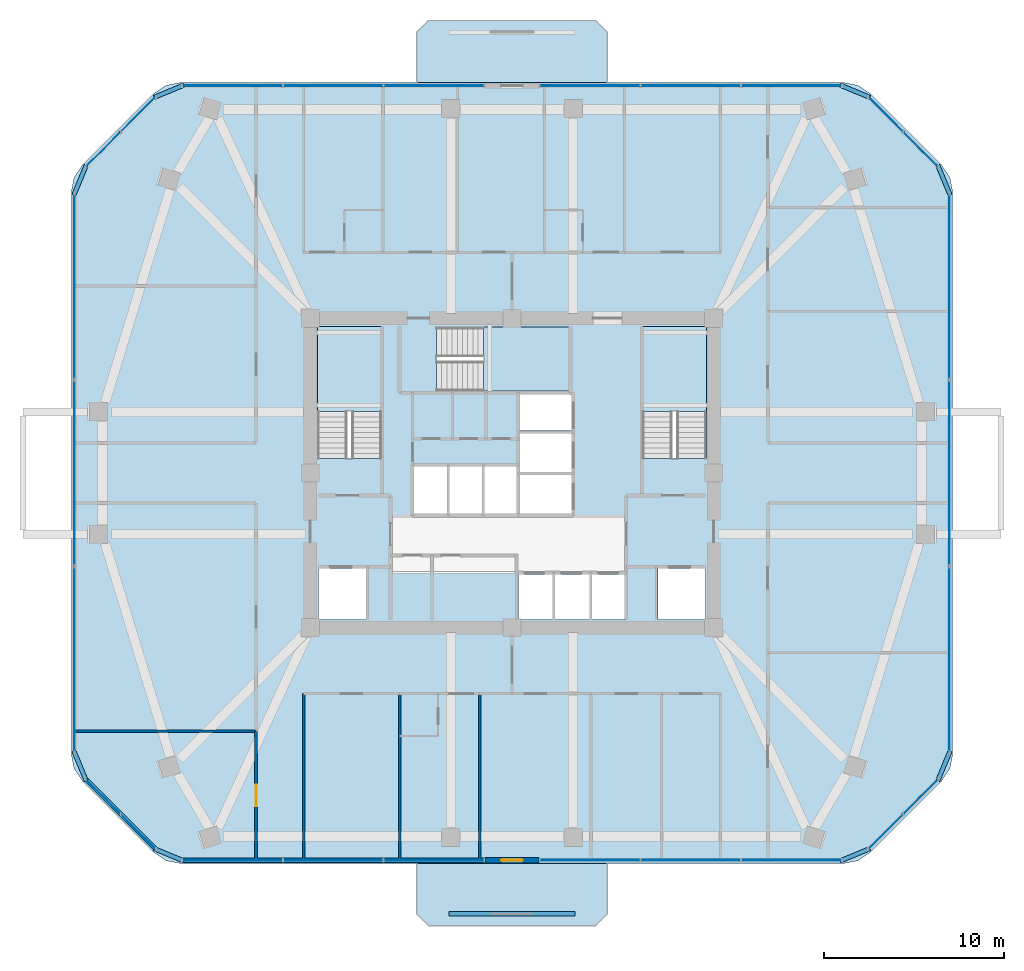
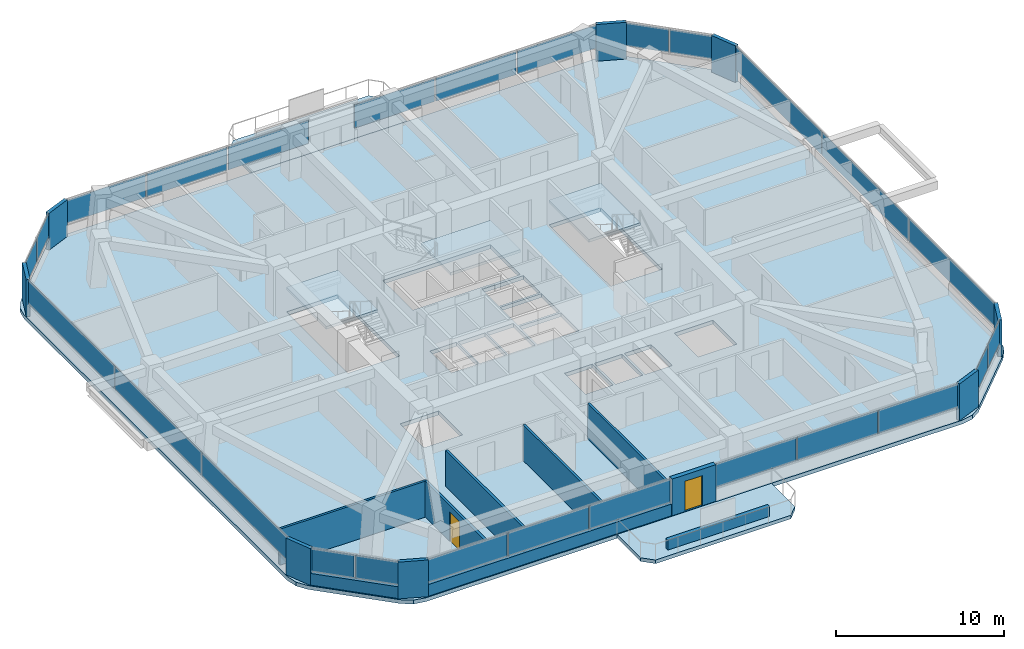
# One storey, part 7 of 13: 34 plates, 9 walls, 6 slabs, 2 doors, 2 openings, 13 elements without a shape of their own.
"""IFC4 building model written with IfcOpenShell, lengths in metres."""

from ifc_helpers import new_model, si_unit, derived_unit, direction, frame, frame_2d, origin, origin_2d, place, context, subcontext, project, spatial, polyline, rectangle, outline, extrude, material, layer, layer_set, type_object, element, fill, aggregate, save


model = new_model("IFC4")

# Units and contexts
model_context = context("Model", 3, precision=1e-05, world=origin(), true_north=direction((0.0, 1.0)))
body_context = subcontext(model_context, "Body", "Model", "MODEL_VIEW")
ifc_project = project(units=[si_unit("LENGTHUNIT", "METRE"), si_unit("AREAUNIT", "SQUARE_METRE"), si_unit("VOLUMEUNIT", "CUBIC_METRE"), si_unit("PLANEANGLEUNIT", "RADIAN"), si_unit("MASSUNIT", "GRAM", prefix="KILO"), derived_unit("THERMALTRANSMITTANCEUNIT", [(si_unit("POWERUNIT", "WATT"), 1), (si_unit("LENGTHUNIT", "METRE"), -2), (si_unit("THERMODYNAMICTEMPERATUREUNIT", "KELVIN"), -1)])], contexts=[model_context])

# Site, building, storey
site_placement = place(None, origin())
site = spatial("IfcSite", under=ifc_project, at=site_placement, CompositionType="ELEMENT")
building_placement = place(site_placement, origin())
building = spatial("IfcBuilding", under=site, at=building_placement, Name="Koralith Skygarden Medical Center", CompositionType="ELEMENT")
storey_placement = place(building_placement, frame((0.0, 0.0, 117.179931640625)))
storey = spatial("IfcBuildingStorey", under=building, at=storey_placement, Name="L30", CompositionType="ELEMENT", Elevation=117.179931640625)

# Curtain wall, plates
ifc_material_1 = material(Name="Clear Laminated Glass", Category="glass")
curtain_wall_type = type_object("IfcCurtainWallType", Name="CW-3 Zone 2 Faceted Solar Curtain Wall", PredefinedType="NOTDEFINED", material=ifc_material_1)
curtain_wall_1_placement = place(storey_placement, origin())
curtain_wall_1 = element("IfcCurtainWall", 1, at=curtain_wall_1_placement, inside=storey, type_object=curtain_wall_type, Name="Curtain Wall CW-L30-S-L", PredefinedType="NOTDEFINED")
ifc_layer_1 = layer(ifc_material_1, 0.033935546875)
ifc_layer_set_1 = layer_set([ifc_layer_1], Name="Clear Laminated Glass")
plate_type_1 = type_object("IfcPlateType", Name="CW-3 Hurricane Laminated IGU Panel 34", PredefinedType="CURTAIN_PANEL", material=ifc_layer_set_1)
plate_1_placement = place(storey_placement, frame((21.471923828125, 4.387939453125, 0.919921875), z_axis=(0.0, 0.0, 1.0), x_axis=(1.0, 0.0, 0.0)))
plate_1 = element("IfcPlate", 2, at=plate_1_placement, type_object=plate_type_1, Name="CW-L30-S-L Glazed Panel 1", PredefinedType="CURTAIN_PANEL", context=body_context, shape_type="SweptSolid", body=[
    extrude(rectangle(XDim=5.5048828125, YDim=0.033935546875, at=origin_2d()), origin(), (0.0, 0.0, 1.0), 1.679931640625),
])
plate_2_placement = place(storey_placement, frame((27.06689453125, 4.387939453125, 0.919921875), z_axis=(0.0, 0.0, 1.0), x_axis=(1.0, 0.0, 0.0)))
plate_2 = element("IfcPlate", 3, at=plate_2_placement, type_object=plate_type_1, Name="CW-L30-S-L Glazed Panel 2", PredefinedType="CURTAIN_PANEL", context=body_context, shape_type="SweptSolid", body=[
    extrude(rectangle(XDim=5.5048828125, YDim=0.033935546875, at=origin_2d()), origin(), (0.0, 0.0, 1.0), 1.679931640625),
])
plate_3_placement = place(storey_placement, frame((32.662109375, 4.387939453125, 0.919921875), z_axis=(0.0, 0.0, 1.0), x_axis=(1.0, 0.0, 0.0)))
plate_3 = element("IfcPlate", 4, at=plate_3_placement, type_object=plate_type_1, Name="CW-L30-S-L Glazed Panel 3", PredefinedType="CURTAIN_PANEL", context=body_context, shape_type="SweptSolid", body=[
    extrude(rectangle(XDim=5.5048828125, YDim=0.033935546875, at=origin_2d()), origin(), (0.0, 0.0, 1.0), 1.679931640625),
])
aggregate(curtain_wall_1, [plate_1, plate_2, plate_3])

curtain_wall_2_placement = place(storey_placement, origin())
curtain_wall_2 = element("IfcCurtainWall", 5, at=curtain_wall_2_placement, inside=storey, type_object=curtain_wall_type, Name="Curtain Wall CW-L30-S-R", PredefinedType="NOTDEFINED")
plate_4_placement = place(storey_placement, frame((41.337890625, 4.387939453125, 0.919921875), z_axis=(0.0, 0.0, 1.0), x_axis=(1.0, 0.0, 0.0)))
plate_4 = element("IfcPlate", 6, at=plate_4_placement, type_object=plate_type_1, Name="CW-L30-S-R Glazed Panel 1", PredefinedType="CURTAIN_PANEL", context=body_context, shape_type="SweptSolid", body=[
    extrude(rectangle(XDim=5.5048828125, YDim=0.033935546875, at=origin_2d()), origin(), (0.0, 0.0, 1.0), 1.679931640625),
])
plate_5_placement = place(storey_placement, frame((46.93310546875, 4.387939453125, 0.919921875), z_axis=(0.0, 0.0, 1.0), x_axis=(1.0, 0.0, 0.0)))
plate_5 = element("IfcPlate", 7, at=plate_5_placement, type_object=plate_type_1, Name="CW-L30-S-R Glazed Panel 2", PredefinedType="CURTAIN_PANEL", context=body_context, shape_type="SweptSolid", body=[
    extrude(rectangle(XDim=5.5048828125, YDim=0.033935546875, at=origin_2d()), origin(), (0.0, 0.0, 1.0), 1.679931640625),
])
plate_6_placement = place(storey_placement, frame((52.528076171875, 4.387939453125, 0.919921875), z_axis=(0.0, 0.0, 1.0), x_axis=(1.0, 0.0, 0.0)))
plate_6 = element("IfcPlate", 8, at=plate_6_placement, type_object=plate_type_1, Name="CW-L30-S-R Glazed Panel 3", PredefinedType="CURTAIN_PANEL", context=body_context, shape_type="SweptSolid", body=[
    extrude(rectangle(XDim=5.5048828125, YDim=0.033935546875, at=origin_2d()), origin(), (0.0, 0.0, 1.0), 1.679931640625),
])
aggregate(curtain_wall_2, [plate_4, plate_5, plate_6])

curtain_wall_3_placement = place(storey_placement, origin())
curtain_wall_3 = element("IfcCurtainWall", 9, at=curtain_wall_3_placement, inside=storey, type_object=curtain_wall_type, Name="Curtain Wall CW-L30-SE", PredefinedType="NOTDEFINED")
plate_7_placement = place(storey_placement, frame((57.758056640625, 5.969970703125, 0.919921875), z_axis=(0.0, 0.0, 1.0), x_axis=(0.707106781187, 0.707106781187, 0.0)))
plate_7 = element("IfcPlate", 10, at=plate_7_placement, type_object=plate_type_1, Name="CW-L30-SE Glazed Panel 1", PredefinedType="CURTAIN_PANEL", context=body_context, shape_type="SweptSolid", body=[
    extrude(rectangle(XDim=2.68408203125, YDim=0.033935546875, at=origin_2d()), origin(), (0.0, 0.0, 1.0), 1.679931640625),
])
plate_8_placement = place(storey_placement, frame((59.718994140625, 7.930908203125, 0.919921875), z_axis=(0.0, 0.0, 1.0), x_axis=(0.707106781187, 0.707106781187, 0.0)))
plate_8 = element("IfcPlate", 11, at=plate_8_placement, type_object=plate_type_1, Name="CW-L30-SE Glazed Panel 2", PredefinedType="CURTAIN_PANEL", context=body_context, shape_type="SweptSolid", body=[
    extrude(rectangle(XDim=2.68408203125, YDim=0.033935546875, at=origin_2d()), origin(), (0.0, 0.0, 1.0), 1.679931640625),
])
aggregate(curtain_wall_3, [plate_7, plate_8])

curtain_wall_4_placement = place(storey_placement, origin())
curtain_wall_4 = element("IfcCurtainWall", 12, at=curtain_wall_4_placement, inside=storey, type_object=curtain_wall_type, Name="Curtain Wall CW-L30-E", PredefinedType="NOTDEFINED")
plate_9_placement = place(storey_placement, frame((61.302001953125, 15.5419921875, 0.919921875), z_axis=(0.0, 0.0, 1.0), x_axis=(0.0, 1.0, 0.0)))
plate_9 = element("IfcPlate", 13, at=plate_9_placement, type_object=plate_type_1, Name="CW-L30-E Glazed Panel 1", PredefinedType="CURTAIN_PANEL", context=body_context, shape_type="SweptSolid", body=[
    extrude(rectangle(XDim=10.26806640625, YDim=0.033935546875, at=origin_2d()), origin(), (0.0, 0.0, 1.0), 1.679931640625),
])
plate_10_placement = place(storey_placement, frame((61.302001953125, 25.89990234375, 0.919921875), z_axis=(0.0, 0.0, 1.0), x_axis=(0.0, 1.0, 0.0)))
plate_10 = element("IfcPlate", 14, at=plate_10_placement, type_object=plate_type_1, Name="CW-L30-E Glazed Panel 2", PredefinedType="CURTAIN_PANEL", context=body_context, shape_type="SweptSolid", body=[
    extrude(rectangle(XDim=10.26806640625, YDim=0.033935546875, at=origin_2d()), origin(), (0.0, 0.0, 1.0), 1.679931640625),
])
plate_11_placement = place(storey_placement, frame((61.302001953125, 36.258056640625, 0.919921875), z_axis=(0.0, 0.0, 1.0), x_axis=(0.0, 1.0, 0.0)))
plate_11 = element("IfcPlate", 15, at=plate_11_placement, type_object=plate_type_1, Name="CW-L30-E Glazed Panel 3", PredefinedType="CURTAIN_PANEL", context=body_context, shape_type="SweptSolid", body=[
    extrude(rectangle(XDim=10.26806640625, YDim=0.033935546875, at=origin_2d()), origin(), (0.0, 0.0, 1.0), 1.679931640625),
])
aggregate(curtain_wall_4, [plate_9, plate_10, plate_11])

curtain_wall_5_placement = place(storey_placement, origin())
curtain_wall_5 = element("IfcCurtainWall", 16, at=curtain_wall_5_placement, inside=storey, type_object=curtain_wall_type, Name="Curtain Wall CW-L30-NE", PredefinedType="NOTDEFINED")
plate_12_placement = place(storey_placement, frame((59.718994140625, 43.868896484375, 0.919921875), z_axis=(0.0, 0.0, 1.0), x_axis=(-0.707106781187, 0.707106781187, 0.0)))
plate_12 = element("IfcPlate", 17, at=plate_12_placement, type_object=plate_type_1, Name="CW-L30-NE Glazed Panel 1", PredefinedType="CURTAIN_PANEL", context=body_context, shape_type="SweptSolid", body=[
    extrude(rectangle(XDim=2.68408203125, YDim=0.033935546875, at=origin_2d()), origin(), (0.0, 0.0, 1.0), 1.679931640625),
])
plate_13_placement = place(storey_placement, frame((57.758056640625, 45.830078125, 0.919921875), z_axis=(0.0, 0.0, 1.0), x_axis=(-0.707106781187, 0.707106781187, 0.0)))
plate_13 = element("IfcPlate", 18, at=plate_13_placement, type_object=plate_type_1, Name="CW-L30-NE Glazed Panel 2", PredefinedType="CURTAIN_PANEL", context=body_context, shape_type="SweptSolid", body=[
    extrude(rectangle(XDim=2.68408203125, YDim=0.033935546875, at=origin_2d()), origin(), (0.0, 0.0, 1.0), 1.679931640625),
])
aggregate(curtain_wall_5, [plate_12, plate_13])

curtain_wall_6_placement = place(storey_placement, origin())
curtain_wall_6 = element("IfcCurtainWall", 19, at=curtain_wall_6_placement, inside=storey, type_object=curtain_wall_type, Name="Curtain Wall CW-L30-N-L", PredefinedType="NOTDEFINED")
plate_14_placement = place(storey_placement, frame((52.528076171875, 47.412109375, 0.919921875), z_axis=(0.0, 0.0, 1.0), x_axis=(-1.0, 0.0, 0.0)))
plate_14 = element("IfcPlate", 20, at=plate_14_placement, type_object=plate_type_1, Name="CW-L30-N-L Glazed Panel 1", PredefinedType="CURTAIN_PANEL", context=body_context, shape_type="SweptSolid", body=[
    extrude(rectangle(XDim=5.5048828125, YDim=0.033935546875, at=origin_2d()), origin(), (0.0, 0.0, 1.0), 1.679931640625),
])
plate_15_placement = place(storey_placement, frame((46.93310546875, 47.412109375, 0.919921875), z_axis=(0.0, 0.0, 1.0), x_axis=(-1.0, 0.0, 0.0)))
plate_15 = element("IfcPlate", 21, at=plate_15_placement, type_object=plate_type_1, Name="CW-L30-N-L Glazed Panel 2", PredefinedType="CURTAIN_PANEL", context=body_context, shape_type="SweptSolid", body=[
    extrude(rectangle(XDim=5.5048828125, YDim=0.033935546875, at=origin_2d()), origin(), (0.0, 0.0, 1.0), 1.679931640625),
])
plate_16_placement = place(storey_placement, frame((41.337890625, 47.412109375, 0.919921875), z_axis=(0.0, 0.0, 1.0), x_axis=(-1.0, 0.0, 0.0)))
plate_16 = element("IfcPlate", 22, at=plate_16_placement, type_object=plate_type_1, Name="CW-L30-N-L Glazed Panel 3", PredefinedType="CURTAIN_PANEL", context=body_context, shape_type="SweptSolid", body=[
    extrude(rectangle(XDim=5.5048828125, YDim=0.033935546875, at=origin_2d()), origin(), (0.0, 0.0, 1.0), 1.679931640625),
])
aggregate(curtain_wall_6, [plate_14, plate_15, plate_16])

curtain_wall_7_placement = place(storey_placement, origin())
curtain_wall_7 = element("IfcCurtainWall", 23, at=curtain_wall_7_placement, inside=storey, type_object=curtain_wall_type, Name="Curtain Wall CW-L30-N-R", PredefinedType="NOTDEFINED")
plate_17_placement = place(storey_placement, frame((32.662109375, 47.412109375, 0.919921875), z_axis=(0.0, 0.0, 1.0), x_axis=(-1.0, 0.0, 0.0)))
plate_17 = element("IfcPlate", 24, at=plate_17_placement, type_object=plate_type_1, Name="CW-L30-N-R Glazed Panel 1", PredefinedType="CURTAIN_PANEL", context=body_context, shape_type="SweptSolid", body=[
    extrude(rectangle(XDim=5.5048828125, YDim=0.033935546875, at=origin_2d()), origin(), (0.0, 0.0, 1.0), 1.679931640625),
])
plate_18_placement = place(storey_placement, frame((27.06689453125, 47.412109375, 0.919921875), z_axis=(0.0, 0.0, 1.0), x_axis=(-1.0, 0.0, 0.0)))
plate_18 = element("IfcPlate", 25, at=plate_18_placement, type_object=plate_type_1, Name="CW-L30-N-R Glazed Panel 2", PredefinedType="CURTAIN_PANEL", context=body_context, shape_type="SweptSolid", body=[
    extrude(rectangle(XDim=5.5048828125, YDim=0.033935546875, at=origin_2d()), origin(), (0.0, 0.0, 1.0), 1.679931640625),
])
plate_19_placement = place(storey_placement, frame((21.471923828125, 47.412109375, 0.919921875), z_axis=(0.0, 0.0, 1.0), x_axis=(-1.0, 0.0, 0.0)))
plate_19 = element("IfcPlate", 26, at=plate_19_placement, type_object=plate_type_1, Name="CW-L30-N-R Glazed Panel 3", PredefinedType="CURTAIN_PANEL", context=body_context, shape_type="SweptSolid", body=[
    extrude(rectangle(XDim=5.5048828125, YDim=0.033935546875, at=origin_2d()), origin(), (0.0, 0.0, 1.0), 1.679931640625),
])
aggregate(curtain_wall_7, [plate_17, plate_18, plate_19])

curtain_wall_8_placement = place(storey_placement, origin())
curtain_wall_8 = element("IfcCurtainWall", 27, at=curtain_wall_8_placement, inside=storey, type_object=curtain_wall_type, Name="Curtain Wall CW-L30-NW", PredefinedType="NOTDEFINED")
plate_20_placement = place(storey_placement, frame((16.241943359375, 45.830078125, 0.919921875), z_axis=(0.0, 0.0, 1.0), x_axis=(-0.707106781187, -0.707106781187, 0.0)))
plate_20 = element("IfcPlate", 28, at=plate_20_placement, type_object=plate_type_1, Name="CW-L30-NW Glazed Panel 1", PredefinedType="CURTAIN_PANEL", context=body_context, shape_type="SweptSolid", body=[
    extrude(rectangle(XDim=2.68408203125, YDim=0.033935546875, at=origin_2d()), origin(), (0.0, 0.0, 1.0), 1.679931640625),
])
plate_21_placement = place(storey_placement, frame((14.281005859375, 43.868896484375, 0.919921875), z_axis=(0.0, 0.0, 1.0), x_axis=(-0.707106781187, -0.707106781187, 0.0)))
plate_21 = element("IfcPlate", 29, at=plate_21_placement, type_object=plate_type_1, Name="CW-L30-NW Glazed Panel 2", PredefinedType="CURTAIN_PANEL", context=body_context, shape_type="SweptSolid", body=[
    extrude(rectangle(XDim=2.68408203125, YDim=0.033935546875, at=origin_2d()), origin(), (0.0, 0.0, 1.0), 1.679931640625),
])
aggregate(curtain_wall_8, [plate_20, plate_21])

curtain_wall_9_placement = place(storey_placement, origin())
curtain_wall_9 = element("IfcCurtainWall", 30, at=curtain_wall_9_placement, inside=storey, type_object=curtain_wall_type, Name="Curtain Wall CW-L30-W", PredefinedType="NOTDEFINED")
plate_22_placement = place(storey_placement, frame((12.697998046875, 36.258056640625, 0.919921875), z_axis=(0.0, 0.0, 1.0), x_axis=(0.0, -1.0, 0.0)))
plate_22 = element("IfcPlate", 31, at=plate_22_placement, type_object=plate_type_1, Name="CW-L30-W Glazed Panel 1", PredefinedType="CURTAIN_PANEL", context=body_context, shape_type="SweptSolid", body=[
    extrude(rectangle(XDim=10.26806640625, YDim=0.033935546875, at=origin_2d()), origin(), (0.0, 0.0, 1.0), 1.679931640625),
])
plate_23_placement = place(storey_placement, frame((12.697998046875, 25.89990234375, 0.919921875), z_axis=(0.0, 0.0, 1.0), x_axis=(0.0, -1.0, 0.0)))
plate_23 = element("IfcPlate", 32, at=plate_23_placement, type_object=plate_type_1, Name="CW-L30-W Glazed Panel 2", PredefinedType="CURTAIN_PANEL", context=body_context, shape_type="SweptSolid", body=[
    extrude(rectangle(XDim=10.26806640625, YDim=0.033935546875, at=origin_2d()), origin(), (0.0, 0.0, 1.0), 1.679931640625),
])
plate_24_placement = place(storey_placement, frame((12.697998046875, 15.5419921875, 0.919921875), z_axis=(0.0, 0.0, 1.0), x_axis=(0.0, -1.0, 0.0)))
plate_24 = element("IfcPlate", 33, at=plate_24_placement, type_object=plate_type_1, Name="CW-L30-W Glazed Panel 3", PredefinedType="CURTAIN_PANEL", context=body_context, shape_type="SweptSolid", body=[
    extrude(rectangle(XDim=10.26806640625, YDim=0.033935546875, at=origin_2d()), origin(), (0.0, 0.0, 1.0), 1.679931640625),
])
aggregate(curtain_wall_9, [plate_22, plate_23, plate_24])

curtain_wall_10_placement = place(storey_placement, origin())
curtain_wall_10 = element("IfcCurtainWall", 34, at=curtain_wall_10_placement, inside=storey, type_object=curtain_wall_type, Name="Curtain Wall CW-L30-SW", PredefinedType="NOTDEFINED")
plate_25_placement = place(storey_placement, frame((14.281005859375, 7.930908203125, 0.919921875), z_axis=(0.0, 0.0, 1.0), x_axis=(0.707106781187, -0.707106781187, 0.0)))
plate_25 = element("IfcPlate", 35, at=plate_25_placement, type_object=plate_type_1, Name="CW-L30-SW Glazed Panel 1", PredefinedType="CURTAIN_PANEL", context=body_context, shape_type="SweptSolid", body=[
    extrude(rectangle(XDim=2.68408203125, YDim=0.033935546875, at=origin_2d()), origin(), (0.0, 0.0, 1.0), 1.679931640625),
])
plate_26_placement = place(storey_placement, frame((16.241943359375, 5.969970703125, 0.919921875), z_axis=(0.0, 0.0, 1.0), x_axis=(0.707106781187, -0.707106781187, 0.0)))
plate_26 = element("IfcPlate", 36, at=plate_26_placement, type_object=plate_type_1, Name="CW-L30-SW Glazed Panel 2", PredefinedType="CURTAIN_PANEL", context=body_context, shape_type="SweptSolid", body=[
    extrude(rectangle(XDim=2.68408203125, YDim=0.033935546875, at=origin_2d()), origin(), (0.0, 0.0, 1.0), 1.679931640625),
])
aggregate(curtain_wall_10, [plate_25, plate_26])

# Slabs
ifc_material_2 = material(Name="Concrete C45/55", Category="concrete")
ifc_layer_2 = layer(ifc_material_2, 0.260009765625)
ifc_layer_set_2 = layer_set([ifc_layer_2], Name="Concrete C45/55")
slab_type_1 = type_object("IfcSlabType", Name="Cantilevered Planted Balcony Slab 260", PredefinedType="FLOOR", material=ifc_layer_set_2)
slab_1_placement = place(storey_placement, frame((0.0, 0.0, -0.260009765625)))
element("IfcSlab", 37, at=slab_1_placement, inside=storey, type_object=slab_type_1, Name="L30 N Planted Sky-Garden Balcony Slab", PredefinedType="FLOOR", context=body_context, shape_type="SweptSolid", body=[
    extrude(outline(polyline([(31.699951171875, 47.592041015625), (42.300048828125, 47.592041015625), (42.300048828125, 50.39208984375), (41.64990234375, 51.0419921875), (32.35009765625, 51.0419921875), (31.699951171875, 50.39208984375), (31.699951171875, 47.592041015625)])), origin(), (0.0, 0.0, 1.0), 0.260009765625),
])
slab_2_placement = place(storey_placement, frame((0.0, 0.0, -0.260009765625)))
element("IfcSlab", 38, at=slab_2_placement, inside=storey, type_object=slab_type_1, Name="L30 S Planted Sky-Garden Balcony Slab", PredefinedType="FLOOR", context=body_context, shape_type="SweptSolid", body=[
    extrude(outline(polyline([(32.35009765625, 0.758056640625), (41.64990234375, 0.758056640625), (42.300048828125, 1.407958984375), (42.300048828125, 4.2080078125), (31.699951171875, 4.2080078125), (31.699951171875, 1.407958984375), (32.35009765625, 0.758056640625)])), origin(), (0.0, 0.0, 1.0), 0.260009765625),
])

# Stair, slab
stair_type = type_object("IfcStairType", Name="Core Exit Dogleg Concrete Stair", PredefinedType="HALF_TURN_STAIR", material=ifc_material_2)
stair_1_placement = place(storey_placement, origin())
stair_1 = element("IfcStair", 39, at=stair_1_placement, inside=storey, type_object=stair_type, Name="L30 Smokeproof Exit Stair ST1", PredefinedType="HALF_TURN_STAIR")
ifc_layer_3 = layer(ifc_material_2, 0.199951171875)
ifc_layer_set_3 = layer_set([ifc_layer_3], Name="Concrete C45/55")
slab_type_2 = type_object("IfcSlabType", Name="Core Exit Concrete Stair Landing 200", PredefinedType="LANDING", material=ifc_layer_set_3)
slab_3_placement = place(storey_placement, frame((0.0, 0.0, 1.60009765625)))
slab_3 = element("IfcSlab", 40, at=slab_3_placement, type_object=slab_type_2, Name="ST1 landing 1", PredefinedType="LANDING", context=body_context, shape_type="SweptSolid", body=[
    extrude(outline(polyline([(29.75, 29.31005859375), (29.75, 34.050048828125), (26.199951171875, 34.050048828125), (26.199951171875, 29.31005859375), (29.75, 29.31005859375)])), origin(), (0.0, 0.0, 1.0), 0.199951171875),
])
aggregate(stair_1, [slab_3])

stair_2_placement = place(storey_placement, origin())
stair_2 = element("IfcStair", 41, at=stair_2_placement, inside=storey, type_object=stair_type, Name="L30 Smokeproof Exit Stair ST2", PredefinedType="HALF_TURN_STAIR")
slab_4_placement = place(storey_placement, frame((0.0, 0.0, 1.60009765625)))
slab_4 = element("IfcSlab", 42, at=slab_4_placement, type_object=slab_type_2, Name="ST2 landing 1", PredefinedType="LANDING", context=body_context, shape_type="SweptSolid", body=[
    extrude(outline(polyline([(47.800048828125, 29.31005859375), (47.800048828125, 34.050048828125), (44.25, 34.050048828125), (44.25, 29.31005859375), (47.800048828125, 29.31005859375)])), origin(), (0.0, 0.0, 1.0), 0.199951171875),
])
aggregate(stair_2, [slab_4])

stair_3_placement = place(storey_placement, origin())
stair_3 = element("IfcStair", 43, at=stair_3_placement, inside=storey, type_object=stair_type, Name="L30 Smokeproof Exit Stair ST3", PredefinedType="HALF_TURN_STAIR")
slab_5_placement = place(storey_placement, frame((0.0, 0.0, 1.60009765625)))
slab_5 = element("IfcSlab", 44, at=slab_5_placement, type_object=slab_type_2, Name="ST3 landing 1", PredefinedType="LANDING", context=body_context, shape_type="SweptSolid", body=[
    extrude(outline(polyline([(35.409912109375, 30.449951171875), (40.199951171875, 30.449951171875), (40.199951171875, 34.0), (35.409912109375, 34.0), (35.409912109375, 30.449951171875)])), origin(), (0.0, 0.0, 1.0), 0.199951171875),
])
aggregate(stair_3, [slab_5])

# Slab
ifc_layer_4 = layer(ifc_material_2, 0.280029296875)
ifc_layer_set_4 = layer_set([ifc_layer_4], Name="Concrete C45/55")
slab_type_3 = type_object("IfcSlabType", Name="Post-Tensioned Ward Floor Plate 280", PredefinedType="FLOOR", material=ifc_layer_set_4)
slab_6_placement = place(storey_placement, frame((0.0, 0.0, -0.280029296875)))
element("IfcSlab", 45, at=slab_6_placement, inside=storey, type_object=slab_type_3, Name="Level L30 Structural Floor Slab", PredefinedType="FLOOR", context=body_context, shape_type="SweptSolid", body=[
    extrude(outline(polyline([(17.133056640625, 4.7939453125), (17.781982421875, 4.360107421875), (18.547119140625, 4.2080078125), (55.452880859375, 4.2080078125), (56.218017578125, 4.360107421875), (56.866943359375, 4.7939453125), (60.89599609375, 8.822021484375), (61.3291015625, 9.470947265625), (61.48095703125, 10.236083984375), (61.48095703125, 41.56396484375), (61.3291015625, 42.3291015625), (60.89599609375, 42.97802734375), (56.866943359375, 47.006103515625), (56.218017578125, 47.43994140625), (55.452880859375, 47.592041015625), (18.547119140625, 47.592041015625), (17.781982421875, 47.43994140625), (17.133056640625, 47.006103515625), (13.10400390625, 42.97802734375), (12.6708984375, 42.3291015625), (12.51806640625, 41.56396484375), (12.51806640625, 10.236083984375), (12.6708984375, 9.470947265625), (13.10400390625, 8.822021484375), (17.133056640625, 4.7939453125)]), holes=[polyline([(26.199951171875, 26.705078125), (29.75, 26.705078125), (29.75, 34.050048828125), (26.199951171875, 34.050048828125), (26.199951171875, 26.705078125)]), polyline([(44.25, 26.705078125), (47.800048828125, 26.705078125), (47.800048828125, 34.050048828125), (44.25, 34.050048828125), (44.25, 26.705078125)]), polyline([(32.804931640625, 30.449951171875), (40.199951171875, 30.449951171875), (40.199951171875, 34.0), (32.804931640625, 34.0), (32.804931640625, 30.449951171875)]), polyline([(26.25, 17.75), (28.89990234375, 17.75), (28.89990234375, 20.60009765625), (26.25, 20.60009765625), (26.25, 17.75)]), polyline([(45.10009765625, 17.75), (47.75, 17.75), (47.75, 20.60009765625), (45.10009765625, 20.60009765625), (45.10009765625, 17.75)]), polyline([(37.35009765625, 17.75), (39.25, 17.75), (39.25, 20.25), (37.35009765625, 20.25), (37.35009765625, 17.75)]), polyline([(39.39990234375, 17.75), (41.300048828125, 17.75), (41.300048828125, 20.25), (39.39990234375, 20.25), (39.39990234375, 17.75)]), polyline([(41.449951171875, 17.75), (43.300048828125, 17.75), (43.300048828125, 20.25), (41.449951171875, 20.25), (41.449951171875, 17.75)]), polyline([(31.550048828125, 23.64990234375), (33.39990234375, 23.64990234375), (33.39990234375, 26.25), (31.550048828125, 26.25), (31.550048828125, 23.64990234375)]), polyline([(33.5, 23.64990234375), (35.35009765625, 23.64990234375), (35.35009765625, 26.25), (33.5, 26.25), (33.5, 23.64990234375)]), polyline([(35.449951171875, 23.64990234375), (37.300048828125, 23.64990234375), (37.300048828125, 26.25), (35.449951171875, 26.25), (35.449951171875, 23.64990234375)]), polyline([(37.449951171875, 23.64990234375), (40.300048828125, 23.64990234375), (40.300048828125, 25.800048828125), (37.449951171875, 25.800048828125), (37.449951171875, 23.64990234375)]), polyline([(37.449951171875, 25.949951171875), (40.300048828125, 25.949951171875), (40.300048828125, 28.10009765625), (37.449951171875, 28.10009765625), (37.449951171875, 25.949951171875)]), polyline([(37.449951171875, 28.25), (40.300048828125, 28.25), (40.300048828125, 30.25), (37.449951171875, 30.25), (37.449951171875, 28.25)])]), origin(), (0.0, 0.0, 1.0), 0.280029296875),
])

# Plates
ifc_material_3 = material(Name="Warm Oolitic Limestone Cladding", Category="masonry")
ifc_layer_5 = layer(ifc_material_3, 0.239990234375)
ifc_layer_set_5 = layer_set([ifc_layer_5], Name="Warm Oolitic Limestone Cladding")
plate_type_2 = type_object("IfcPlateType", Name="Rounded-Corner Oolitic Limestone Cladding Panel 240", PredefinedType="USERDEFINED", material=ifc_layer_set_5)
for number, where, z_axis, x_axis, name in (
    (46, (56.052001953125, 4.68798828125, 0.0), (0.0, 0.0, 1.0), (0.92388487569, 0.382670532536, 0.0), "L30 Rounded-Corner Limestone Pier 1"),
    (47, (61.0009765625, 9.636962890625, 0.0), (0.0, 0.0, 1.0), (0.383213873184, 0.923659638286, 0.0), "L30 Rounded-Corner Limestone Pier 2"),
    (48, (61.0009765625, 42.162109375, 0.0), (0.0, 0.0, 1.0), (-0.383213873184, 0.923659638286, 0.0), "L30 Rounded-Corner Limestone Pier 3"),
    (49, (56.052001953125, 47.111083984375, 0.0), (0.0, 0.0, 1.0), (-0.92388487569, 0.382670532536, 0.0), "L30 Rounded-Corner Limestone Pier 4"),
    (50, (17.947998046875, 47.111083984375, 0.0), (0.0, 0.0, 1.0), (-0.92388487569, -0.382670532536, 0.0), "L30 Rounded-Corner Limestone Pier 5"),
    (51, (12.9990234375, 42.162109375, 0.0), (0.0, 0.0, 1.0), (-0.383213873184, -0.923659638286, 0.0), "L30 Rounded-Corner Limestone Pier 6"),
    (52, (12.9990234375, 9.636962890625, 0.0), (0.0, 0.0, 1.0), (0.383213873184, -0.923659638286, 0.0), "L30 Rounded-Corner Limestone Pier 7"),
    (53, (17.947998046875, 4.68798828125, 0.0), (0.0, 0.0, 1.0), (0.92388487569, -0.382670532536, 0.0), "L30 Rounded-Corner Limestone Pier 8"),
):
    element("IfcPlate", number, at=place(storey_placement, frame(where, z_axis=z_axis, x_axis=x_axis)), inside=storey, type_object=plate_type_2, Name=name, ObjectType="LIMESTONE CLADDING", PredefinedType="USERDEFINED", context=body_context, shape_type="SweptSolid", body=[
        extrude(rectangle(XDim=1.81103515625, YDim=0.239990234375, at=origin_2d()), origin(), (0.0, 0.0, 1.0), 2.669921875),
    ])

# Walls
ifc_material_4 = material(Name="Gypsum Board Partition")
ifc_layer_6 = layer(ifc_material_4, 0.14990234375)
ifc_layer_set_6 = layer_set([ifc_layer_6], Name="Gypsum Board Partition")
wall_type_1 = type_object("IfcWallType", Name="Clinical Acoustic Partition 150", PredefinedType="PARTITIONING", material=ifc_layer_set_6)
for number, where, z_axis, x_axis, name in (
    (54, (30.758056640625, 13.639892578125, 0.0), (0.0, 0.0, 1.0), (0.0, -1.0, 0.0), "L30 Clinical Acoustic Partition 150 W-PART-L30-S-01"),
    (55, (35.199951171875, 13.639892578125, 0.0), (0.0, 0.0, 1.0), (0.0, -1.0, 0.0), "L30 Clinical Acoustic Partition 150 W-PART-L30-S-02"),
):
    element("IfcWall", number, at=place(storey_placement, frame(where, z_axis=z_axis, x_axis=x_axis)), inside=storey, type_object=wall_type_1, Name=name, PredefinedType="PARTITIONING", context=body_context, shape_type="SweptSolid", body=[
        extrude(rectangle(XDim=9.23193359375, YDim=0.14990234375, at=frame_2d((4.615966796875, 0.0))), origin(), (0.0, 0.0, 1.0), 2.610107421875),
    ])
wall_1_placement = place(storey_placement, frame((22.7900390625, 11.548095703125, 0.0), z_axis=(0.0, 0.0, 1.0), x_axis=(-1.0, 0.0, 0.0)))
element("IfcWall", 56, at=wall_1_placement, inside=storey, type_object=wall_type_1, Name="L30 Clinical Acoustic Partition 150 W-PART-L30-WS-01", PredefinedType="PARTITIONING", context=body_context, shape_type="SweptSolid", body=[
    extrude(rectangle(XDim=10.072021484375, YDim=0.14990234375, at=frame_2d((5.0361328125, 0.0))), origin(), (0.0, 0.0, 1.0), 2.610107421875),
])
ifc_layer_7 = layer(ifc_material_4, 0.1650390625)
ifc_layer_set_7 = layer_set([ifc_layer_7], Name="Gypsum Board Partition")
wall_type_2 = type_object("IfcWallType", Name="Clinical Corridor Partition 165", PredefinedType="PARTITIONING", material=ifc_layer_set_7)
wall_2_placement = place(storey_placement, frame((25.429931640625, 4.407958984375, 0.0), z_axis=(0.0, 0.0, 1.0), x_axis=(0.0, 1.0, 0.0)))
element("IfcWall", 57, at=wall_2_placement, inside=storey, type_object=wall_type_2, Name="L30 Clinical Corridor Partition 165 W-HCOR-L30-SW", PredefinedType="PARTITIONING", context=body_context, shape_type="SweptSolid", body=[
    extrude(rectangle(XDim=9.23193359375, YDim=0.1650390625, at=frame_2d((4.615966796875, 0.0))), origin(), (0.0, 0.0, 1.0), 2.610107421875),
])

# Wall, opening, door
wall_3_placement = place(storey_placement, frame((22.7900390625, 4.407958984375, 0.0), z_axis=(0.0, 0.0, 1.0), x_axis=(0.0, 1.0, 0.0)))
wall_3 = element("IfcWall", 58, at=wall_3_placement, inside=storey, type_object=wall_type_2, Name="L30 Clinical Corridor Partition 165 W-CORR-L30-WS-01", PredefinedType="PARTITIONING", context=body_context, shape_type="SweptSolid", body=[
    extrude(rectangle(XDim=7.14013671875, YDim=0.1650390625, at=frame_2d((3.570068359375, 0.0))), origin(), (0.0, 0.0, 1.0), 2.610107421875),
])
opening_1_placement = place(wall_3_placement, frame((2.969970703125, 0.0, 0.0)))
opening_1 = element("IfcOpeningElement", 59, at=opening_1_placement, cuts=wall_3, Name="Opening D-CLN", PredefinedType="OPENING", context=body_context, shape_type="SweptSolid", body=[
    extrude(rectangle(XDim=1.199951171875, YDim=2.14990234375, at=frame_2d((0.60009765625, 1.074951171875))), frame((0.0, 0.092529296875, 0.0), z_axis=(0.0, -1.0, 0.0), x_axis=(1.0, 0.0, 0.0)), (0.0, 0.0, 1.0), 0.18505859375),
])
ifc_material_5 = material(Name="Aluminium 6063-T6", Category="aluminium")
door_type_1 = type_object("IfcDoorType", Name="Clinical Corridor Door D-CLN 1200", OperationType="NOTDEFINED", PredefinedType="DOOR", material=ifc_material_5)
door_1_placement = place(opening_1_placement, frame((1.199951171875, 0.0, 0.0), z_axis=(0.0, 0.0, 1.0), x_axis=(-1.0, 0.0, 0.0)))
door_1 = element("IfcDoor", 60, at=door_1_placement, inside=storey, type_object=door_type_1, Name="L30 Patient Rest Lounge 11 Door", OperationType="SINGLE_SWING_RIGHT", OverallHeight=2.14990234375, OverallWidth=1.199951171875, PredefinedType="DOOR", context=body_context, shape_type="SweptSolid", body=[
    extrude(rectangle(XDim=1.199951171875, YDim=2.14990234375, at=frame_2d((0.60009765625, 1.074951171875))), frame((0.0, 0.02490234375, 0.0), z_axis=(0.0, -1.0, 0.0), x_axis=(1.0, 0.0, 0.0)), (0.0, 0.0, 1.0), 0.050048828125),
])
fill(opening_1, door_1)

# Walls
ifc_layer_8 = layer(ifc_material_3, 0.239990234375)
ifc_layer_set_8 = layer_set([ifc_layer_8], Name="Warm Oolitic Limestone Cladding")
wall_type_3 = type_object("IfcWallType", Name="Limestone Spandrel Sill Backup Wall 240", PredefinedType="SOLIDWALL", material=ifc_layer_set_8)
wall_4_placement = place(storey_placement, frame((18.674072265625, 4.387939453125, 0.0), z_axis=(0.0, 0.0, 1.0), x_axis=(1.0, 0.0, 0.0)))
element("IfcWall", 61, at=wall_4_placement, inside=storey, type_object=wall_type_3, Name="L30 Sill Spandrel S-L", PredefinedType="SOLIDWALL", context=body_context, shape_type="SweptSolid", body=[
    extrude(rectangle(XDim=16.785888671875, YDim=0.239990234375, at=frame_2d((8.39306640625, 0.0))), origin(), (0.0, 0.0, 1.0), 0.85009765625),
])
wall_5_placement = place(storey_placement, frame((13.300048828125, 8.912109375, 0.0), z_axis=(0.0, 0.0, 1.0), x_axis=(0.707084777957, -0.707128783731, 0.0)))
element("IfcWall", 62, at=wall_5_placement, inside=storey, type_object=wall_type_3, Name="L30 Sill Spandrel SW", PredefinedType="SOLIDWALL", context=body_context, shape_type="SweptSolid", body=[
    extrude(rectangle(XDim=5.5478515625, YDim=0.239990234375, at=frame_2d((2.77392578125, 0.0))), origin(), (0.0, 0.0, 1.0), 0.85009765625),
])

# Wall, opening, door
ifc_layer_9 = layer(ifc_material_3, 0.300048828125)
ifc_layer_set_9 = layer_set([ifc_layer_9], Name="Warm Oolitic Limestone Cladding")
wall_type_4 = type_object("IfcWallType", Name="Oolitic Limestone Insulated Facade Wall 300", PredefinedType="SOLIDWALL", material=ifc_layer_set_9)
wall_6_placement = place(storey_placement, frame((35.5, 4.387939453125, 0.0), z_axis=(0.0, 0.0, 1.0), x_axis=(1.0, 0.0, 0.0)))
wall_6 = element("IfcWall", 63, at=wall_6_placement, inside=storey, type_object=wall_type_4, Name="L30 Terrace Portal Wall S", PredefinedType="SOLIDWALL", context=body_context, shape_type="SweptSolid", body=[
    extrude(rectangle(XDim=3.0, YDim=0.300048828125, at=frame_2d((1.5, 0.0))), origin(), (0.0, 0.0, 1.0), 2.670166015625),
])
opening_2_placement = place(wall_6_placement, frame((0.89990234375, 0.0, 0.0)))
opening_2 = element("IfcOpeningElement", 64, at=opening_2_placement, cuts=wall_6, Name="Opening D-BAL", PredefinedType="OPENING", context=body_context, shape_type="SweptSolid", body=[
    extrude(rectangle(XDim=1.199951171875, YDim=2.199951171875, at=frame_2d((0.60009765625, 1.10009765625))), frame((0.0, 0.159912109375, 0.0), z_axis=(0.0, -1.0, 0.0), x_axis=(1.0, 0.0, 0.0)), (0.0, 0.0, 1.0), 0.320068359375),
])
door_type_2 = type_object("IfcDoorType", Name="Planted Balcony Glazed Terrace Door D-BAL 1200", OperationType="NOTDEFINED", PredefinedType="DOOR", material=ifc_material_5)
door_2_placement = place(opening_2_placement, origin())
door_2 = element("IfcDoor", 65, at=door_2_placement, inside=storey, type_object=door_type_2, Name="L30 S Outdoor Terrace Access Door", OperationType="SINGLE_SWING_LEFT", OverallHeight=2.199951171875, OverallWidth=1.199951171875, PredefinedType="DOOR", context=body_context, shape_type="SweptSolid", body=[
    extrude(rectangle(XDim=1.199951171875, YDim=2.199951171875, at=frame_2d((0.60009765625, 1.10009765625))), frame((0.0, 0.02490234375, 0.0), z_axis=(0.0, -1.0, 0.0), x_axis=(1.0, 0.0, 0.0)), (0.0, 0.0, 1.0), 0.050048828125),
])
fill(opening_2, door_2)

# Wall
ifc_material_6 = material(Name="Precast concrete C40/50", Category="concrete")
ifc_layer_10 = layer(ifc_material_6, 0.25)
ifc_layer_set_10 = layer_set([ifc_layer_10], Name="Precast concrete C40/50")
wall_type_5 = type_object("IfcWallType", Name="Structural Concrete Balcony Planter Kerb 250", PredefinedType="PARAPET", material=ifc_layer_set_10)
wall_7_placement = place(storey_placement, frame((33.5, 1.407958984375, 0.0), z_axis=(0.0, 0.0, 1.0), x_axis=(1.0, 0.0, 0.0)))
element("IfcWall", 66, at=wall_7_placement, inside=storey, type_object=wall_type_5, Name="L30 S Structural Tree PLANTER Box", PredefinedType="PARAPET", context=body_context, shape_type="SweptSolid", body=[
    extrude(rectangle(XDim=7.0, YDim=0.25, at=frame_2d((3.5, 0.0))), origin(), (0.0, 0.0, 1.0), 0.719970703125),
])

save(model, "model.ifc")
